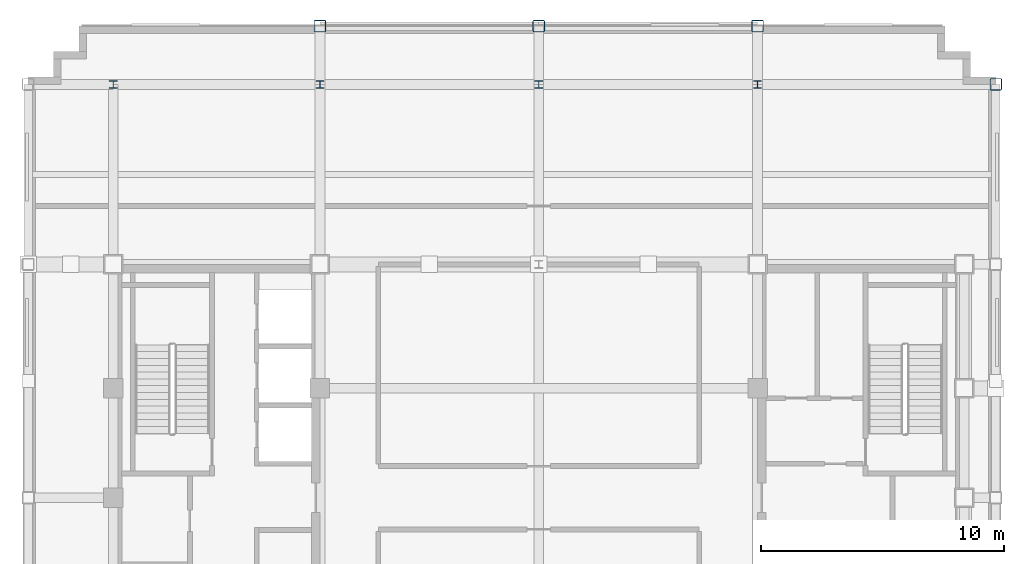
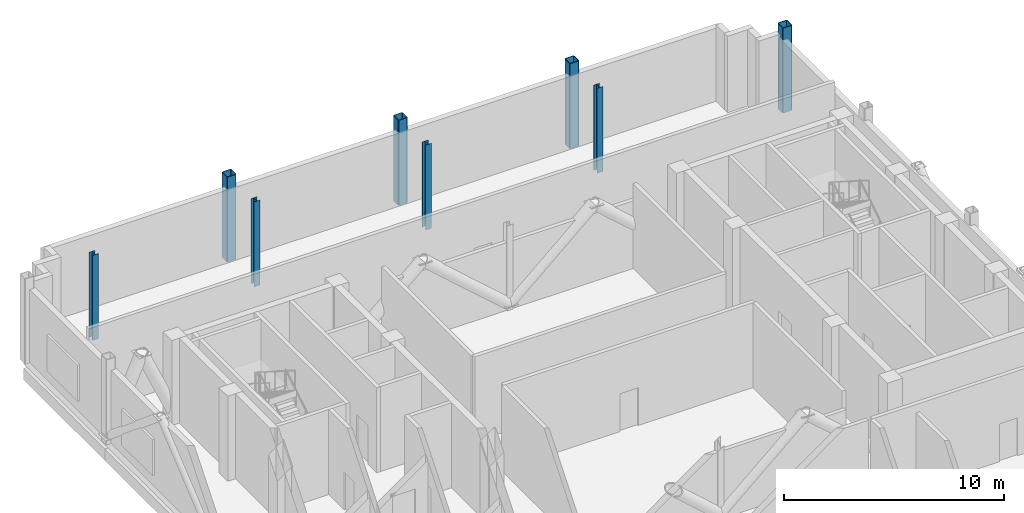
# One storey, part 3 of 12: 8 columns.
"""IFC4 building model written with IfcOpenShell, lengths in metres."""

from ifc_helpers import new_model, si_unit, direction, frame, origin, origin_2d, place, context, subcontext, project, spatial, hollow_rectangle, i_section, extrude, material, material_profile, profile_set, type_object, element, save


model = new_model("IFC4")

# Units and contexts
model_context = context("Model", 3, precision=1e-05, world=origin(), true_north=direction((0.0, 1.0)))
body_context = subcontext(model_context, "Body", "Model", "MODEL_VIEW")
ifc_project = project(units=[si_unit("LENGTHUNIT", "METRE"), si_unit("AREAUNIT", "SQUARE_METRE"), si_unit("VOLUMEUNIT", "CUBIC_METRE"), si_unit("PLANEANGLEUNIT", "RADIAN"), si_unit("MASSUNIT", "GRAM", prefix="KILO")], contexts=[model_context])

# Site, building, storey
site_placement = place(None, origin())
site = spatial("IfcSite", under=ifc_project, at=site_placement, CompositionType="ELEMENT")
building_placement = place(site_placement, origin())
building = spatial("IfcBuilding", under=site, at=building_placement, Name="Nuvemarco Arch Tower", CompositionType="ELEMENT")
storey_placement = place(building_placement, frame((0.0, 0.0, 252.949951171875)))
storey = spatial("IfcBuildingStorey", under=building, at=storey_placement, Name="L67", CompositionType="ELEMENT", Elevation=252.949951171875)

# Columns
ifc_material = material(Name="Steel S355", Category="steel")
ifc_material_profile_1 = material_profile(ifc_material, hollow_rectangle(XDim=0.5, YDim=0.5, WallThickness=0.031982421875, InnerFilletRadius=0.031982421875, OuterFilletRadius=0.06396484375, at=origin_2d()), Name="SHS500x500x32")
ifc_profile_set_1 = profile_set([ifc_material_profile_1], Name="Steel S355")
column_type_1 = type_object("IfcColumnType", Name="COL-EXO-500", PredefinedType="COLUMN", material=ifc_profile_set_1)
for number, where, z_axis, x_axis, name in (
    (1, (18.800048828125, 17.0, 0.0), (0.0, 0.0, 1.0), (1.0, 0.0, 0.0), "L67 column CX_+18.8_+17.0"),
    (2, (-9.0, 19.39990234375, 0.0), (0.0, 0.0, 1.0), (1.0, 0.0, 0.0), "L67 column CY_-9.0_+19.4"),
    (3, (0.0, 19.39990234375, 0.0), (0.0, 0.0, 1.0), (1.0, 0.0, 0.0), "L67 column CY_+0.0_+19.4"),
    (4, (9.0, 19.39990234375, 0.0), (0.0, 0.0, 1.0), (1.0, 0.0, 0.0), "L67 column CY_+9.0_+19.4"),
):
    element("IfcColumn", number, at=place(storey_placement, frame(where, z_axis=z_axis, x_axis=x_axis)), inside=storey, type_object=column_type_1, Name=name, PredefinedType="COLUMN", context=body_context, shape_type="SweptSolid", body=[
        extrude(hollow_rectangle(XDim=0.5, YDim=0.5, WallThickness=0.031982421875, InnerFilletRadius=0.031982421875, OuterFilletRadius=0.06396484375, at=origin_2d()), origin(), (0.0, 0.0, 1.0), 4.719970703125),
    ])
ifc_material_profile_2 = material_profile(ifc_material, i_section(OverallWidth=0.31005859375, OverallDepth=0.31005859375, WebThickness=0.015380859375, FlangeThickness=0.015380859375, FilletRadius=0.014892578125, at=origin_2d()), Name="HP310x110")
ifc_profile_set_2 = profile_set([ifc_material_profile_2], Name="Steel S355")
column_type_2 = type_object("IfcColumnType", Name="COL-STL-HP310", PredefinedType="COLUMN", material=ifc_profile_set_2)
for number, where, z_axis, x_axis, name in (
    (5, (0.0, 17.0, 0.0), (0.0, 0.0, 1.0), (1.0, 0.0, 0.0), "L67 column CI_+0.0_+17.0"),
    (6, (-17.5, 17.0, 0.0), (0.0, 0.0, 1.0), (1.0, 0.0, 0.0), "L67 column CI_-17.5_+17.0"),
    (7, (-9.0, 17.0, 0.0), (0.0, 0.0, 1.0), (1.0, 0.0, 0.0), "L67 column CI_-9.0_+17.0"),
    (8, (9.0, 17.0, 0.0), (0.0, 0.0, 1.0), (1.0, 0.0, 0.0), "L67 column CI_+9.0_+17.0"),
):
    element("IfcColumn", number, at=place(storey_placement, frame(where, z_axis=z_axis, x_axis=x_axis)), inside=storey, type_object=column_type_2, Name=name, PredefinedType="COLUMN", context=body_context, shape_type="SweptSolid", body=[
        extrude(i_section(OverallWidth=0.31005859375, OverallDepth=0.31005859375, WebThickness=0.015380859375, FlangeThickness=0.015380859375, FilletRadius=0.014892578125, at=origin_2d()), origin(), (0.0, 0.0, 1.0), 4.719970703125),
    ])

save(model, "model.ifc")
